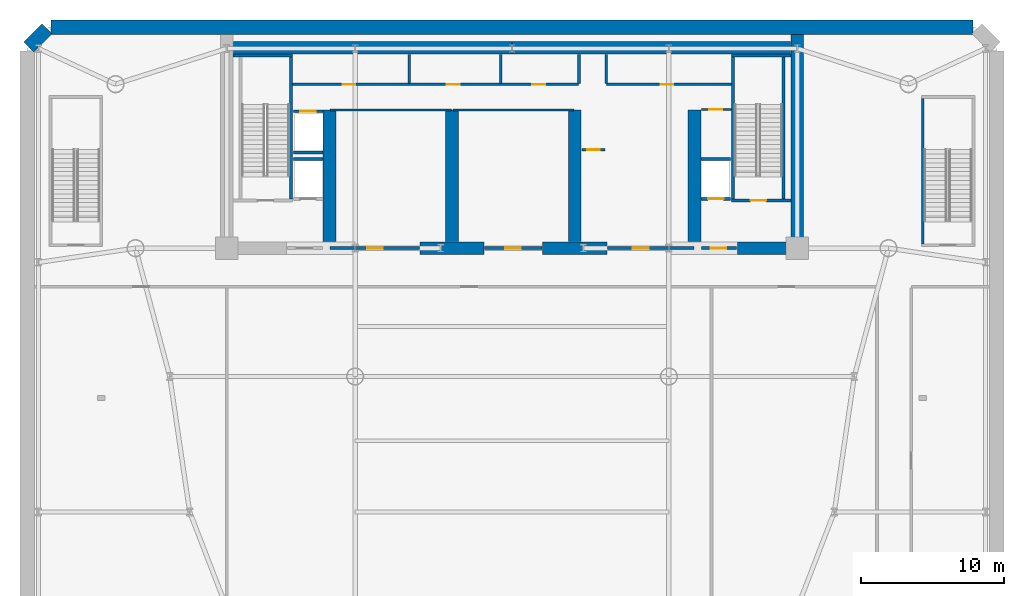
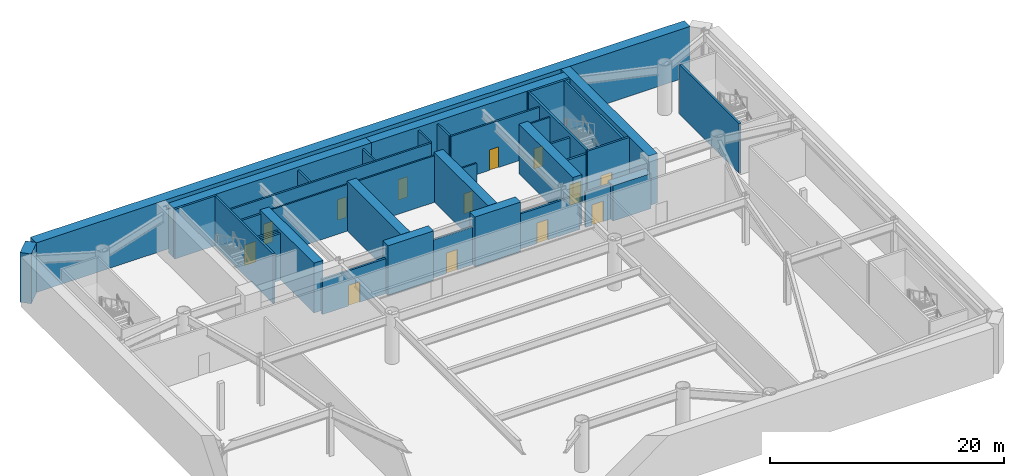
# One storey, part 3 of 9: 38 walls, 13 doors, 13 openings.
"""IFC4 building model written with IfcOpenShell, lengths in metres."""

from ifc_helpers import new_model, si_unit, direction, frame, frame_2d, origin, place, context, subcontext, project, spatial, rectangle, extrude, source, transform, mapped, material, layer, layer_set, type_object, element, fill, save


model = new_model("IFC4")

# Units and contexts
model_context = context("Model", 3, precision=1e-05, world=origin(), true_north=direction((0.0, 1.0)))
body_context = subcontext(model_context, "Body", "Model", "MODEL_VIEW")
ifc_project = project(units=[si_unit("LENGTHUNIT", "METRE"), si_unit("AREAUNIT", "SQUARE_METRE"), si_unit("VOLUMEUNIT", "CUBIC_METRE"), si_unit("PLANEANGLEUNIT", "RADIAN"), si_unit("MASSUNIT", "GRAM", prefix="KILO")], contexts=[model_context])

# Site, building, storey
site_placement = place(None, origin())
site = spatial("IfcSite", under=ifc_project, at=site_placement, CompositionType="ELEMENT")
building_placement = place(site_placement, origin())
building = spatial("IfcBuilding", under=site, at=building_placement, Name="Vaeldorn Concourse Tower", CompositionType="ELEMENT")
storey_placement = place(building_placement, frame((0.0, 0.0, -10.39990234375)))
storey = spatial("IfcBuildingStorey", under=building, at=storey_placement, Name="B02", CompositionType="ELEMENT", Elevation=-10.39990234375)

# Walls
ifc_material_1 = material(Name="Concrete C60/75", Category="concrete")
ifc_layer_1 = layer(ifc_material_1, 0.89990234375)
ifc_layer_set_1 = layer_set([ifc_layer_1], Name="Concrete C60/75")
wall_type_1 = type_object("IfcWallType", Name="WL-CORE-900", PredefinedType="SHEAR", material=ifc_layer_set_1)
for number, where, z_axis, x_axis, name in (
    (1, (14.4541015625, 50.550048828125, 0.0), (0.0, 0.0, 1.0), (1.0, 0.0, 0.0), "Rear Core Shear Wall B02 N1"),
    (2, (34.001953125, 50.550048828125, 0.0), (0.0, 0.0, 1.0), (1.0, 0.0, 0.0), "Rear Core Shear Wall B02 N2"),
):
    element("IfcWall", number, at=place(storey_placement, frame(where, z_axis=z_axis, x_axis=x_axis)), inside=storey, type_object=wall_type_1, Name=name, PredefinedType="SHEAR", context=body_context, shape_type="SweptSolid", body=[
        extrude(rectangle(XDim=19.5439453125, YDim=0.89990234375, at=frame_2d((9.77197265625, 0.0))), origin(), (0.0, 0.0, 1.0), 5.199951171875),
    ])
wall_1_placement = place(storey_placement, frame((54.0, 36.5, 0.0), z_axis=(0.0, 0.0, 1.0), x_axis=(0.0, 1.0, 0.0)))
element("IfcWall", 3, at=wall_1_placement, inside=storey, type_object=wall_type_1, Name="Rear Core Shear Wall B02 E1", PredefinedType="SHEAR", context=body_context, shape_type="SweptSolid", body=[
    extrude(rectangle(XDim=15.0, YDim=0.89990234375, at=frame_2d((7.5, 0.0))), origin(), (0.0, 0.0, 1.0), 5.199951171875),
])
for number, where, z_axis, x_axis, name in (
    (4, (27.550048828125, 36.5, 0.0), (0.0, 0.0, 1.0), (1.0, 0.0, 0.0), "Rear Core Shear Wall B02 S2"),
    (5, (36.14990234375, 36.5, 0.0), (0.0, 0.0, 1.0), (1.0, 0.0, 0.0), "Rear Core Shear Wall B02 S3"),
):
    element("IfcWall", number, at=place(storey_placement, frame(where, z_axis=z_axis, x_axis=x_axis)), inside=storey, type_object=wall_type_1, Name=name, PredefinedType="SHEAR", context=body_context, shape_type="SweptSolid", body=[
        extrude(rectangle(XDim=4.5, YDim=0.89990234375, at=frame_2d((2.25, 0.0))), origin(), (0.0, 0.0, 1.0), 5.199951171875),
    ])
wall_2_placement = place(storey_placement, frame((49.800048828125, 36.5, 0.0), z_axis=(0.0, 0.0, 1.0), x_axis=(1.0, 0.0, 0.0)))
element("IfcWall", 6, at=wall_2_placement, inside=storey, type_object=wall_type_1, Name="Rear Core Shear Wall B02 S4", PredefinedType="SHEAR", context=body_context, shape_type="SweptSolid", body=[
    extrude(rectangle(XDim=3.72998046875, YDim=0.89990234375, at=frame_2d((1.864990234375, 0.0))), origin(), (0.0, 0.0, 1.0), 3.679931640625),
])
for number, where, z_axis, x_axis, name in (
    (7, (21.199951171875, 36.969970703125, 0.0), (0.0, 0.0, 1.0), (0.0, 1.0, 0.0), "Rear Core Shear Wall B02 M1"),
    (8, (29.800048828125, 36.969970703125, 0.0), (0.0, 0.0, 1.0), (0.0, 1.0, 0.0), "Rear Core Shear Wall B02 M2"),
    (9, (38.39990234375, 36.969970703125, 0.0), (0.0, 0.0, 1.0), (0.0, 1.0, 0.0), "Rear Core Shear Wall B02 M3"),
    (10, (46.800048828125, 36.969970703125, 0.0), (0.0, 0.0, 1.0), (0.0, 1.0, 0.0), "Rear Core Shear Wall B02 M4"),
):
    element("IfcWall", number, at=place(storey_placement, frame(where, z_axis=z_axis, x_axis=x_axis)), inside=storey, type_object=wall_type_1, Name=name, PredefinedType="SHEAR", context=body_context, shape_type="SweptSolid", body=[
        extrude(rectangle(XDim=9.22998046875, YDim=0.89990234375, at=frame_2d((4.614990234375, 0.0))), origin(), (0.0, 0.0, 1.0), 5.199951171875),
    ])
ifc_material_2 = material(Name="Concrete C50/60", Category="concrete")
ifc_layer_2 = layer(ifc_material_2, 1.0)
ifc_layer_set_2 = layer_set([ifc_layer_2], Name="Concrete C50/60")
wall_type_2 = type_object("IfcWallType", Name="WL-DIAPH-1000", PredefinedType="STANDARD", material=ifc_layer_set_2)
wall_3_placement = place(storey_placement, frame((66.340087890625, 52.0, 0.0), z_axis=(0.0, 0.0, 1.0), x_axis=(-1.0, 0.0, 0.0)))
element("IfcWall", 11, at=wall_3_placement, inside=storey, type_object=wall_type_2, Name="Substructure Diaphragm Wall B02-05", PredefinedType="STANDARD", context=body_context, shape_type="SweptSolid", body=[
    extrude(rectangle(XDim=64.68017578125, YDim=1.0, at=frame_2d((32.340087890625, 0.0))), origin(), (0.0, 0.0, 1.0), 5.199951171875),
])
wall_4_placement = place(storey_placement, frame((1.386962890625, 51.886962890625, 0.0), z_axis=(0.0, 0.0, 1.0), x_axis=(-0.707106781187, -0.707106781187, 0.0)))
element("IfcWall", 12, at=wall_4_placement, inside=storey, type_object=wall_type_2, Name="Substructure Diaphragm Wall B02-06", PredefinedType="STANDARD", context=body_context, shape_type="SweptSolid", body=[
    extrude(rectangle(XDim=1.801513671875, YDim=1.0, at=frame_2d((0.90087890625, 0.0))), origin(), (0.0, 0.0, 1.0), 5.199951171875),
])
ifc_material_3 = material(Name="Gypsum Board Partition", Category="gypsum")
ifc_layer_3 = layer(ifc_material_3, 0.14990234375)
ifc_layer_set_3 = layer_set([ifc_layer_3], Name="Gypsum Board Partition")
wall_type_3 = type_object("IfcWallType", Name="WL-PART-150", PredefinedType="PARTITIONING", material=ifc_layer_set_3)
for number, where, z_axis, x_axis, name in (
    (13, (21.25, 46.199951171875, 0.0), (0.0, 0.0, 1.0), (1.0, 0.0, 0.0), "Interior Wall CW-B02-B1N"),
    (14, (29.85009765625, 46.199951171875, 0.0), (0.0, 0.0, 1.0), (1.0, 0.0, 0.0), "Interior Wall CW-B02-B2N"),
):
    element("IfcWall", number, at=place(storey_placement, frame(where, z_axis=z_axis, x_axis=x_axis)), inside=storey, type_object=wall_type_3, Name=name, PredefinedType="PARTITIONING", context=body_context, shape_type="SweptSolid", body=[
        extrude(rectangle(XDim=8.5, YDim=0.14990234375, at=frame_2d((4.25, 0.0))), origin(), (0.0, 0.0, 1.0), 4.8798828125),
    ])

# Wall, opening, door
wall_5_placement = place(storey_placement, frame((47.280029296875, 46.219970703125, 0.0), z_axis=(0.0, 0.0, 1.0), x_axis=(1.0, 0.0, 0.0)))
wall_5 = element("IfcWall", 15, at=wall_5_placement, inside=storey, type_object=wall_type_3, Name="Interior Wall CW-B02-CRSE-N", PredefinedType="PARTITIONING", context=body_context, shape_type="SweptSolid", body=[
    extrude(rectangle(XDim=2.099853515625, YDim=0.14990234375, at=frame_2d((1.0498046875, 0.0))), origin(), (0.0, 0.0, 1.0), 4.8798828125),
])
opening_1_placement = place(wall_5_placement, frame((0.550048828125, 0.0, 0.0)))
opening_1 = element("IfcOpeningElement", 16, at=opening_1_placement, cuts=wall_5, Name="Opening D-02", PredefinedType="OPENING", context=body_context, shape_type="SweptSolid", body=[
    extrude(rectangle(XDim=0.89990234375, YDim=2.10009765625, at=frame_2d((0.449951171875, 1.050048828125))), frame((0.0, 0.0849609375, 0.0), z_axis=(0.0, -1.0, 0.0), x_axis=(1.0, 0.0, 0.0)), (0.0, 0.0, 1.0), 0.169921875),
])
ifc_material_4 = material(Name="Fire-Rated Timber Leaf", Category="wood")
door_type_1 = type_object("IfcDoorType", Name="DR-FD30-900", OperationType="NOTDEFINED", PredefinedType="DOOR", material=ifc_material_4)
shared_shape_1 = source(origin(), body_context, "Body", "SweptSolid", [
    extrude(rectangle(XDim=0.89990234375, YDim=2.10009765625, at=frame_2d((0.449951171875, 1.050048828125))), frame((0.0, 0.02490234375, 0.0), z_axis=(0.0, -1.0, 0.0), x_axis=(1.0, 0.0, 0.0)), (0.0, 0.0, 1.0), 0.050048828125),
])
door_1_placement = place(opening_1_placement, origin())
door_1 = element("IfcDoor", 17, at=door_1_placement, inside=storey, type_object=door_type_1, Name="Interior Door DR-B02-CRSE", OperationType="SINGLE_SWING_RIGHT", OverallHeight=2.10009765625, OverallWidth=0.89990234375, PredefinedType="DOOR", context=body_context, shape_type="MappedRepresentation", body=[
    mapped(shared_shape_1, transform((0.0, 0.0, 0.0), scale=1.0)),
])
fill(opening_1, door_1)

wall_6_placement = place(storey_placement, frame((38.919921875, 43.39990234375, 0.0), z_axis=(0.0, 0.0, 1.0), x_axis=(1.0, 0.0, 0.0)))
wall_6 = element("IfcWall", 18, at=wall_6_placement, inside=storey, type_object=wall_type_3, Name="Interior Wall CW-B02-CCLINK", PredefinedType="PARTITIONING", context=body_context, shape_type="SweptSolid", body=[
    extrude(rectangle(XDim=1.60009765625, YDim=0.14990234375, at=frame_2d((0.800048828125, 0.0))), origin(), (0.0, 0.0, 1.0), 4.8798828125),
])
opening_2_placement = place(wall_6_placement, frame((0.35009765625, 0.0, 0.0)))
opening_2 = element("IfcOpeningElement", 19, at=opening_2_placement, cuts=wall_6, Name="Opening D-02", PredefinedType="OPENING", context=body_context, shape_type="SweptSolid", body=[
    extrude(rectangle(XDim=0.89990234375, YDim=2.10009765625, at=frame_2d((0.449951171875, 1.050048828125))), frame((0.0, 0.0849609375, 0.0), z_axis=(0.0, -1.0, 0.0), x_axis=(1.0, 0.0, 0.0)), (0.0, 0.0, 1.0), 0.169921875),
])
door_2_placement = place(opening_2_placement, origin())
door_2 = element("IfcDoor", 20, at=door_2_placement, inside=storey, type_object=door_type_1, Name="Interior Door DR-B02-CCLINK", OperationType="SINGLE_SWING_LEFT", OverallHeight=2.10009765625, OverallWidth=0.89990234375, PredefinedType="DOOR", context=body_context, shape_type="MappedRepresentation", body=[
    mapped(shared_shape_1, transform((0.0, 0.0, 0.0), scale=1.0)),
])
fill(opening_2, door_2)

# Wall, openings, doors
ifc_layer_4 = layer(ifc_material_3, 0.179931640625)
ifc_layer_set_4 = layer_set([ifc_layer_4], Name="Gypsum Board Partition")
wall_type_4 = type_object("IfcWallType", Name="WL-PLUMB-180", PredefinedType="PLUMBINGWALL", material=ifc_layer_set_4)
wall_7_placement = place(storey_placement, frame((18.6201171875, 47.97998046875, 0.0), z_axis=(0.0, 0.0, 1.0), x_axis=(1.0, 0.0, 0.0)))
wall_7 = element("IfcWall", 21, at=wall_7_placement, inside=storey, type_object=wall_type_4, Name="Interior Wall CW-B02-NS1W", PredefinedType="PLUMBINGWALL", context=body_context, shape_type="SweptSolid", body=[
    extrude(rectangle(XDim=20.059814453125, YDim=0.179931640625, at=frame_2d((10.02978515625, 0.0))), origin(), (0.0, 0.0, 1.0), 4.8798828125),
])
opening_3_placement = place(wall_7_placement, frame((3.5, 0.0, 0.0)))
opening_3 = element("IfcOpeningElement", 22, at=opening_3_placement, cuts=wall_7, Name="Opening D-03", PredefinedType="OPENING", context=body_context, shape_type="SweptSolid", body=[
    extrude(rectangle(XDim=0.89990234375, YDim=2.14990234375, at=frame_2d((0.449951171875, 1.074951171875))), frame((0.0, 0.10009765625, 0.0), z_axis=(0.0, -1.0, 0.0), x_axis=(1.0, 0.0, 0.0)), (0.0, 0.0, 1.0), 0.199951171875),
])
opening_4_placement = place(wall_7_placement, frame((10.800048828125, 0.0, 0.0)))
opening_4 = element("IfcOpeningElement", 23, at=opening_4_placement, cuts=wall_7, Name="Opening D-03", PredefinedType="OPENING", context=body_context, shape_type="SweptSolid", body=[
    extrude(rectangle(XDim=0.89990234375, YDim=2.14990234375, at=frame_2d((0.449951171875, 1.074951171875))), frame((0.0, 0.10009765625, 0.0), z_axis=(0.0, -1.0, 0.0), x_axis=(1.0, 0.0, 0.0)), (0.0, 0.0, 1.0), 0.199951171875),
])
opening_5_placement = place(wall_7_placement, frame((16.800048828125, 0.0, 0.0)))
opening_5 = element("IfcOpeningElement", 24, at=opening_5_placement, cuts=wall_7, Name="Opening D-03", PredefinedType="OPENING", context=body_context, shape_type="SweptSolid", body=[
    extrude(rectangle(XDim=0.89990234375, YDim=2.14990234375, at=frame_2d((0.449951171875, 1.074951171875))), frame((0.0, 0.10009765625, 0.0), z_axis=(0.0, -1.0, 0.0), x_axis=(1.0, 0.0, 0.0)), (0.0, 0.0, 1.0), 0.199951171875),
])
ifc_material_5 = material(Name="Acoustic Bronze-Framed Glass Door", Category="glass")
door_type_2 = type_object("IfcDoorType", Name="DR-INT-900", OperationType="NOTDEFINED", PredefinedType="DOOR", material=ifc_material_5)
shared_shape_2 = source(origin(), body_context, "Body", "SweptSolid", [
    extrude(rectangle(XDim=0.89990234375, YDim=2.14990234375, at=frame_2d((0.449951171875, 1.074951171875))), frame((0.0, 0.02490234375, 0.0), z_axis=(0.0, -1.0, 0.0), x_axis=(1.0, 0.0, 0.0)), (0.0, 0.0, 1.0), 0.050048828125),
])
door_3_placement = place(opening_3_placement, origin())
door_3 = element("IfcDoor", 25, at=door_3_placement, inside=storey, type_object=door_type_2, Name="Interior Door DR-B02-CS1", OperationType="SINGLE_SWING_LEFT", OverallHeight=2.14990234375, OverallWidth=0.89990234375, PredefinedType="DOOR", context=body_context, shape_type="MappedRepresentation", body=[
    mapped(shared_shape_2, transform((0.0, 0.0, 0.0), scale=1.0)),
])
fill(opening_3, door_3)
door_4_placement = place(opening_4_placement, origin())
door_4 = element("IfcDoor", 26, at=door_4_placement, inside=storey, type_object=door_type_2, Name="Interior Door DR-B02-CS2", OperationType="SINGLE_SWING_RIGHT", OverallHeight=2.14990234375, OverallWidth=0.89990234375, PredefinedType="DOOR", context=body_context, shape_type="MappedRepresentation", body=[
    mapped(shared_shape_2, transform((0.0, 0.0, 0.0), scale=1.0)),
])
fill(opening_4, door_4)
door_5_placement = place(opening_5_placement, origin())
door_5 = element("IfcDoor", 27, at=door_5_placement, inside=storey, type_object=door_type_2, Name="Interior Door DR-B02-CS3", OperationType="SINGLE_SWING_LEFT", OverallHeight=2.14990234375, OverallWidth=0.89990234375, PredefinedType="DOOR", context=body_context, shape_type="MappedRepresentation", body=[
    mapped(shared_shape_2, transform((0.0, 0.0, 0.0), scale=1.0)),
])
fill(opening_5, door_5)

# Wall, opening, door
wall_8_placement = place(storey_placement, frame((40.6201171875, 47.97998046875, 0.0), z_axis=(0.0, 0.0, 1.0), x_axis=(1.0, 0.0, 0.0)))
wall_8 = element("IfcWall", 28, at=wall_8_placement, inside=storey, type_object=wall_type_4, Name="Interior Wall CW-B02-NS1E", PredefinedType="PLUMBINGWALL", context=body_context, shape_type="SweptSolid", body=[
    extrude(rectangle(XDim=8.759765625, YDim=0.179931640625, at=frame_2d((4.3798828125, 0.0))), origin(), (0.0, 0.0, 1.0), 4.8798828125),
])
opening_6_placement = place(wall_8_placement, frame((3.800048828125, 0.0, 0.0)))
opening_6 = element("IfcOpeningElement", 29, at=opening_6_placement, cuts=wall_8, Name="Opening D-03", PredefinedType="OPENING", context=body_context, shape_type="SweptSolid", body=[
    extrude(rectangle(XDim=0.89990234375, YDim=2.14990234375, at=frame_2d((0.449951171875, 1.074951171875))), frame((0.0, 0.10009765625, 0.0), z_axis=(0.0, -1.0, 0.0), x_axis=(1.0, 0.0, 0.0)), (0.0, 0.0, 1.0), 0.199951171875),
])
door_6_placement = place(opening_6_placement, origin())
door_6 = element("IfcDoor", 30, at=door_6_placement, inside=storey, type_object=door_type_2, Name="Interior Door DR-B02-CS4", OperationType="SINGLE_SWING_RIGHT", OverallHeight=2.14990234375, OverallWidth=0.89990234375, PredefinedType="DOOR", context=body_context, shape_type="MappedRepresentation", body=[
    mapped(shared_shape_2, transform((0.0, 0.0, 0.0), scale=1.0)),
])
fill(opening_6, door_6)

# Walls
for number, where, z_axis, x_axis, name in (
    (31, (26.800048828125, 48.06005859375, 0.0), (0.0, 0.0, 1.0), (0.0, 1.0, 0.0), "Interior Wall CW-B02-NDIV1"),
    (32, (33.199951171875, 48.06005859375, 0.0), (0.0, 0.0, 1.0), (0.0, 1.0, 0.0), "Interior Wall CW-B02-NDIV2"),
    (33, (38.699951171875, 48.06005859375, 0.0), (0.0, 0.0, 1.0), (0.0, 1.0, 0.0), "Interior Wall CW-B02-NDIV3"),
    (34, (40.60009765625, 48.06005859375, 0.0), (0.0, 0.0, 1.0), (0.0, 1.0, 0.0), "Interior Wall CW-B02-NDIV4"),
):
    element("IfcWall", number, at=place(storey_placement, frame(where, z_axis=z_axis, x_axis=x_axis)), inside=storey, type_object=wall_type_4, Name=name, PredefinedType="PLUMBINGWALL", context=body_context, shape_type="SweptSolid", body=[
        extrude(rectangle(XDim=2.02001953125, YDim=0.179931640625, at=frame_2d((1.010009765625, 0.0))), origin(), (0.0, 0.0, 1.0), 4.8798828125),
    ])
ifc_layer_5 = layer(ifc_material_2, 0.199951171875)
ifc_layer_set_5 = layer_set([ifc_layer_5], Name="Concrete C50/60")
wall_type_5 = type_object("IfcWallType", Name="WL-SHAFT-200", PredefinedType="SOLIDWALL", material=ifc_layer_set_5)
wall_9_placement = place(storey_placement, frame((14.449951171875, 50.0, 0.0), z_axis=(0.0, 0.0, 1.0), x_axis=(1.0, 0.0, 0.0)))
element("IfcWall", 35, at=wall_9_placement, inside=storey, type_object=wall_type_5, Name="Stair Shaft Wall CW-B02-ST-1-N", PredefinedType="SOLIDWALL", context=body_context, shape_type="SweptSolid", body=[
    extrude(rectangle(XDim=4.150146484375, YDim=0.199951171875, at=frame_2d((2.0751953125, 0.0))), origin(), (0.0, 0.0, 1.0), 5.199951171875),
])
wall_10_placement = place(storey_placement, frame((18.5, 39.9599609375, 0.0), z_axis=(0.0, 0.0, 1.0), x_axis=(0.0, 1.0, 0.0)))
element("IfcWall", 36, at=wall_10_placement, inside=storey, type_object=wall_type_5, Name="Stair Shaft Wall CW-B02-ST-1-E", PredefinedType="SOLIDWALL", context=body_context, shape_type="SweptSolid", body=[
    extrude(rectangle(XDim=9.929931640625, YDim=0.199951171875, at=frame_2d((4.96484375, 0.0))), origin(), (0.0, 0.0, 1.0), 5.199951171875),
])

# Wall, opening, door
wall_11_placement = place(storey_placement, frame((49.39990234375, 39.85009765625, 0.0), z_axis=(0.0, 0.0, 1.0), x_axis=(1.0, 0.0, 0.0)))
wall_11 = element("IfcWall", 37, at=wall_11_placement, inside=storey, type_object=wall_type_5, Name="Stair Shaft Wall CW-B02-ST-2-S", PredefinedType="SOLIDWALL", context=body_context, shape_type="SweptSolid", body=[
    extrude(rectangle(XDim=4.150146484375, YDim=0.199951171875, at=frame_2d((2.0751953125, 0.0))), origin(), (0.0, 0.0, 1.0), 5.199951171875),
])
opening_7_placement = place(wall_11_placement, frame((1.324951171875, 0.0, 0.0)))
opening_7 = element("IfcOpeningElement", 38, at=opening_7_placement, cuts=wall_11, Name="Opening D-01", PredefinedType="OPENING", context=body_context, shape_type="SweptSolid", body=[
    extrude(rectangle(XDim=1.10009765625, YDim=2.14990234375, at=frame_2d((0.550048828125, 1.074951171875))), frame((0.0, 0.10986328125, 0.0), z_axis=(0.0, -1.0, 0.0), x_axis=(1.0, 0.0, 0.0)), (0.0, 0.0, 1.0), 0.219970703125),
])
ifc_material_6 = material(Name="Fire-Rated Timber and Steel Leaf", Category="steel")
door_type_3 = type_object("IfcDoorType", Name="DR-FD60-1100", OperationType="NOTDEFINED", PredefinedType="DOOR", material=ifc_material_6)
shared_shape_3 = source(origin(), body_context, "Body", "SweptSolid", [
    extrude(rectangle(XDim=1.10009765625, YDim=2.14990234375, at=frame_2d((0.550048828125, 1.074951171875))), frame((0.0, 0.02490234375, 0.0), z_axis=(0.0, -1.0, 0.0), x_axis=(1.0, 0.0, 0.0)), (0.0, 0.0, 1.0), 0.050048828125),
])
door_7_placement = place(opening_7_placement, origin())
door_7 = element("IfcDoor", 39, at=door_7_placement, inside=storey, type_object=door_type_3, Name="Interior Door DR-B02-ST-2", OperationType="SINGLE_SWING_RIGHT", OverallHeight=2.14990234375, OverallWidth=1.10009765625, PredefinedType="DOOR", context=body_context, shape_type="MappedRepresentation", body=[
    mapped(shared_shape_3, transform((0.0, 0.0, 0.0), scale=1.0)),
])
fill(opening_7, door_7)

# Walls
wall_12_placement = place(storey_placement, frame((49.39990234375, 50.0, 0.0), z_axis=(0.0, 0.0, 1.0), x_axis=(1.0, 0.0, 0.0)))
element("IfcWall", 40, at=wall_12_placement, inside=storey, type_object=wall_type_5, Name="Stair Shaft Wall CW-B02-ST-2-N", PredefinedType="SOLIDWALL", context=body_context, shape_type="SweptSolid", body=[
    extrude(rectangle(XDim=4.150146484375, YDim=0.199951171875, at=frame_2d((2.0751953125, 0.0))), origin(), (0.0, 0.0, 1.0), 5.199951171875),
])
for number, where, z_axis, x_axis, name in (
    (41, (49.5, 39.9599609375, 0.0), (0.0, 0.0, 1.0), (0.0, 1.0, 0.0), "Stair Shaft Wall CW-B02-ST-2-W"),
    (42, (53.050048828125, 39.9599609375, 0.0), (0.0, 0.0, 1.0), (0.0, 1.0, 0.0), "Stair Shaft Wall CW-B02-ST-2-E"),
):
    element("IfcWall", number, at=place(storey_placement, frame(where, z_axis=z_axis, x_axis=x_axis)), inside=storey, type_object=wall_type_5, Name=name, PredefinedType="SOLIDWALL", context=body_context, shape_type="SweptSolid", body=[
        extrude(rectangle(XDim=9.929931640625, YDim=0.199951171875, at=frame_2d((4.96484375, 0.0))), origin(), (0.0, 0.0, 1.0), 5.199951171875),
    ])

# Wall, opening, door
wall_13_placement = place(storey_placement, frame((47.280029296875, 36.5, 0.0), z_axis=(0.0, 0.0, 1.0), x_axis=(1.0, 0.0, 0.0)))
wall_13 = element("IfcWall", 43, at=wall_13_placement, inside=storey, type_object=wall_type_5, Name="Interior Wall CW-B02-FF2S", PredefinedType="SOLIDWALL", context=body_context, shape_type="SweptSolid", body=[
    extrude(rectangle(XDim=2.469970703125, YDim=0.199951171875, at=frame_2d((1.23486328125, 0.0))), origin(), (0.0, 0.0, 1.0), 3.669921875),
])
opening_8_placement = place(wall_13_placement, frame((0.64990234375, 0.0, 0.0)))
opening_8 = element("IfcOpeningElement", 44, at=opening_8_placement, cuts=wall_13, Name="Opening D-01", PredefinedType="OPENING", context=body_context, shape_type="SweptSolid", body=[
    extrude(rectangle(XDim=1.10009765625, YDim=2.14990234375, at=frame_2d((0.550048828125, 1.074951171875))), frame((0.0, 0.10986328125, 0.0), z_axis=(0.0, -1.0, 0.0), x_axis=(1.0, 0.0, 0.0)), (0.0, 0.0, 1.0), 0.219970703125),
])
door_8_placement = place(opening_8_placement, origin())
door_8 = element("IfcDoor", 45, at=door_8_placement, inside=storey, type_object=door_type_3, Name="Interior Door DR-B02-FF2W", OperationType="SINGLE_SWING_LEFT", OverallHeight=2.14990234375, OverallWidth=1.10009765625, PredefinedType="DOOR", context=body_context, shape_type="MappedRepresentation", body=[
    mapped(shared_shape_3, transform((0.0, 0.0, 0.0), scale=1.0)),
])
fill(opening_8, door_8)

wall_14_placement = place(storey_placement, frame((18.669921875, 46.10009765625, 0.0), z_axis=(0.0, 0.0, 1.0), x_axis=(1.0, 0.0, 0.0)))
wall_14 = element("IfcWall", 46, at=wall_14_placement, inside=storey, type_object=wall_type_5, Name="Interior Wall CW-B02-LF-LF-SV1", PredefinedType="SOLIDWALL", context=body_context, shape_type="SweptSolid", body=[
    extrude(rectangle(XDim=2.070068359375, YDim=0.199951171875, at=frame_2d((1.03515625, 0.0))), origin(), (0.0, 0.0, 1.0), 4.8798828125),
])
opening_9_placement = place(wall_14_placement, frame((0.485107421875, 0.0, 0.0)))
opening_9 = element("IfcOpeningElement", 47, at=opening_9_placement, cuts=wall_14, Name="Opening LD-1", PredefinedType="OPENING", context=body_context, shape_type="SweptSolid", body=[
    extrude(rectangle(XDim=1.10009765625, YDim=2.14990234375, at=frame_2d((0.550048828125, 1.074951171875))), frame((0.0, 0.10986328125, 0.0), z_axis=(0.0, -1.0, 0.0), x_axis=(1.0, 0.0, 0.0)), (0.0, 0.0, 1.0), 0.219970703125),
])
ifc_material_7 = material(Name="Anodised Bronze Aluminium", Category="aluminium")
door_type_4 = type_object("IfcDoorType", Name="DR-LIFT-SLIDE-1100", OperationType="DOUBLE_DOOR_SLIDING", PredefinedType="DOOR", material=ifc_material_7)
door_9_placement = place(opening_9_placement, origin())
door_9 = element("IfcDoor", 48, at=door_9_placement, inside=storey, type_object=door_type_4, Name="Lift Landing Door LD-B02-LF-SV1", OperationType="DOUBLE_DOOR_SLIDING", OverallHeight=2.14990234375, OverallWidth=1.10009765625, PredefinedType="DOOR", context=body_context, shape_type="MappedRepresentation", body=[
    mapped(shared_shape_3, transform((0.0, 0.0, 0.0), scale=1.0)),
])
fill(opening_9, door_9)

# Walls
for number, where, z_axis, x_axis, name in (
    (49, (18.669921875, 43.199951171875, 0.0), (0.0, 0.0, 1.0), (1.0, 0.0, 0.0), "Interior Wall CW-B02-LFB-LF-SV1"),
    (50, (18.669921875, 42.75, 0.0), (0.0, 0.0, 1.0), (1.0, 0.0, 0.0), "Interior Wall CW-B02-LFB-LF-FF1"),
):
    element("IfcWall", number, at=place(storey_placement, frame(where, z_axis=z_axis, x_axis=x_axis)), inside=storey, type_object=wall_type_5, Name=name, PredefinedType="SOLIDWALL", context=body_context, shape_type="SweptSolid", body=[
        extrude(rectangle(XDim=2.070068359375, YDim=0.199951171875, at=frame_2d((1.03515625, 0.0))), origin(), (0.0, 0.0, 1.0), 4.8798828125),
    ])

# Wall, opening, door
wall_15_placement = place(storey_placement, frame((47.260009765625, 39.949951171875, 0.0), z_axis=(0.0, 0.0, 1.0), x_axis=(1.0, 0.0, 0.0)))
wall_15 = element("IfcWall", 51, at=wall_15_placement, inside=storey, type_object=wall_type_5, Name="Interior Wall CW-B02-LF-LF-FF2", PredefinedType="SOLIDWALL", context=body_context, shape_type="SweptSolid", body=[
    extrude(rectangle(XDim=2.070068359375, YDim=0.199951171875, at=frame_2d((1.03515625, 0.0))), origin(), (0.0, 0.0, 1.0), 4.8798828125),
])
opening_10_placement = place(wall_15_placement, frame((0.485107421875, 0.0, 0.0)))
opening_10 = element("IfcOpeningElement", 52, at=opening_10_placement, cuts=wall_15, Name="Opening LD-1", PredefinedType="OPENING", context=body_context, shape_type="SweptSolid", body=[
    extrude(rectangle(XDim=1.10009765625, YDim=2.14990234375, at=frame_2d((0.550048828125, 1.074951171875))), frame((0.0, 0.10986328125, 0.0), z_axis=(0.0, -1.0, 0.0), x_axis=(1.0, 0.0, 0.0)), (0.0, 0.0, 1.0), 0.219970703125),
])
door_10_placement = place(opening_10_placement, origin())
door_10 = element("IfcDoor", 53, at=door_10_placement, inside=storey, type_object=door_type_4, Name="Lift Landing Door LD-B02-LF-FF2", OperationType="DOUBLE_DOOR_SLIDING", OverallHeight=2.14990234375, OverallWidth=1.10009765625, PredefinedType="DOOR", context=body_context, shape_type="MappedRepresentation", body=[
    mapped(shared_shape_3, transform((0.0, 0.0, 0.0), scale=1.0)),
])
fill(opening_10, door_10)

# Wall
wall_16_placement = place(storey_placement, frame((47.260009765625, 42.75, 0.0), z_axis=(0.0, 0.0, 1.0), x_axis=(1.0, 0.0, 0.0)))
element("IfcWall", 54, at=wall_16_placement, inside=storey, type_object=wall_type_5, Name="Interior Wall CW-B02-LFB-LF-FF2", PredefinedType="SOLIDWALL", context=body_context, shape_type="SweptSolid", body=[
    extrude(rectangle(XDim=2.070068359375, YDim=0.199951171875, at=frame_2d((1.03515625, 0.0))), origin(), (0.0, 0.0, 1.0), 4.8798828125),
])

# Wall, opening, door
wall_17_placement = place(storey_placement, frame((21.25, 36.5, 0.0), z_axis=(0.0, 0.0, 1.0), x_axis=(1.0, 0.0, 0.0)))
wall_17 = element("IfcWall", 55, at=wall_17_placement, inside=storey, type_object=wall_type_5, Name="Interior Wall CW-B02-B1CL", PredefinedType="SOLIDWALL", context=body_context, shape_type="SweptSolid", body=[
    extrude(rectangle(XDim=6.27001953125, YDim=0.199951171875, at=frame_2d((3.135009765625, 0.0))), origin(), (0.0, 0.0, 1.0), 3.669921875),
])
opening_11_placement = place(wall_17_placement, frame((2.60009765625, 0.0, 0.0)))
opening_11 = element("IfcOpeningElement", 56, at=opening_11_placement, cuts=wall_17, Name="Opening D-01", PredefinedType="OPENING", context=body_context, shape_type="SweptSolid", body=[
    extrude(rectangle(XDim=1.10009765625, YDim=2.14990234375, at=frame_2d((0.550048828125, 1.074951171875))), frame((0.0, 0.10986328125, 0.0), z_axis=(0.0, -1.0, 0.0), x_axis=(1.0, 0.0, 0.0)), (0.0, 0.0, 1.0), 0.219970703125),
])
door_11_placement = place(opening_11_placement, origin())
door_11 = element("IfcDoor", 57, at=door_11_placement, inside=storey, type_object=door_type_3, Name="Interior Door DR-B02-B1CL", OperationType="SINGLE_SWING_LEFT", OverallHeight=2.14990234375, OverallWidth=1.10009765625, PredefinedType="DOOR", context=body_context, shape_type="MappedRepresentation", body=[
    mapped(shared_shape_3, transform((0.0, 0.0, 0.0), scale=1.0)),
])
fill(opening_11, door_11)

wall_18_placement = place(storey_placement, frame((32.080078125, 36.5, 0.0), z_axis=(0.0, 0.0, 1.0), x_axis=(1.0, 0.0, 0.0)))
wall_18 = element("IfcWall", 58, at=wall_18_placement, inside=storey, type_object=wall_type_5, Name="Interior Wall CW-B02-B2CL", PredefinedType="SOLIDWALL", context=body_context, shape_type="SweptSolid", body=[
    extrude(rectangle(XDim=4.0400390625, YDim=0.199951171875, at=frame_2d((2.02001953125, 0.0))), origin(), (0.0, 0.0, 1.0), 3.9599609375),
])
opening_12_placement = place(wall_18_placement, frame((1.449951171875, 0.0, 0.0)))
opening_12 = element("IfcOpeningElement", 59, at=opening_12_placement, cuts=wall_18, Name="Opening D-01", PredefinedType="OPENING", context=body_context, shape_type="SweptSolid", body=[
    extrude(rectangle(XDim=1.10009765625, YDim=2.14990234375, at=frame_2d((0.550048828125, 1.074951171875))), frame((0.0, 0.10986328125, 0.0), z_axis=(0.0, -1.0, 0.0), x_axis=(1.0, 0.0, 0.0)), (0.0, 0.0, 1.0), 0.219970703125),
])
door_12_placement = place(opening_12_placement, origin())
door_12 = element("IfcDoor", 60, at=door_12_placement, inside=storey, type_object=door_type_3, Name="Interior Door DR-B02-B2CL", OperationType="SINGLE_SWING_RIGHT", OverallHeight=2.14990234375, OverallWidth=1.10009765625, PredefinedType="DOOR", context=body_context, shape_type="MappedRepresentation", body=[
    mapped(shared_shape_3, transform((0.0, 0.0, 0.0), scale=1.0)),
])
fill(opening_12, door_12)

wall_19_placement = place(storey_placement, frame((40.679931640625, 36.5, 0.0), z_axis=(0.0, 0.0, 1.0), x_axis=(1.0, 0.0, 0.0)))
wall_19 = element("IfcWall", 61, at=wall_19_placement, inside=storey, type_object=wall_type_5, Name="Interior Wall CW-B02-B3CL", PredefinedType="SOLIDWALL", context=body_context, shape_type="SweptSolid", body=[
    extrude(rectangle(XDim=6.070068359375, YDim=0.199951171875, at=frame_2d((3.03515625, 0.0))), origin(), (0.0, 0.0, 1.0), 3.669921875),
])
opening_13_placement = place(wall_19_placement, frame((1.800048828125, 0.0, 0.0)))
opening_13 = element("IfcOpeningElement", 62, at=opening_13_placement, cuts=wall_19, Name="Opening D-01", PredefinedType="OPENING", context=body_context, shape_type="SweptSolid", body=[
    extrude(rectangle(XDim=1.10009765625, YDim=2.14990234375, at=frame_2d((0.550048828125, 1.074951171875))), frame((0.0, 0.10986328125, 0.0), z_axis=(0.0, -1.0, 0.0), x_axis=(1.0, 0.0, 0.0)), (0.0, 0.0, 1.0), 0.219970703125),
])
door_13_placement = place(opening_13_placement, origin())
door_13 = element("IfcDoor", 63, at=door_13_placement, inside=storey, type_object=door_type_3, Name="Interior Door DR-B02-B3CL", OperationType="SINGLE_SWING_LEFT", OverallHeight=2.14990234375, OverallWidth=1.10009765625, PredefinedType="DOOR", context=body_context, shape_type="MappedRepresentation", body=[
    mapped(shared_shape_3, transform((0.0, 0.0, 0.0), scale=1.0)),
])
fill(opening_13, door_13)

# Wall
wall_20_placement = place(storey_placement, frame((62.800048828125, 36.81005859375, 0.0), z_axis=(0.0, 0.0, 1.0), x_axis=(0.0, 1.0, 0.0)))
element("IfcWall", 64, at=wall_20_placement, inside=storey, type_object=wall_type_5, Name="Stair Shaft Wall CW-B02-ST-4-W", PredefinedType="SOLIDWALL", context=body_context, shape_type="SweptSolid", body=[
    extrude(rectangle(XDim=10.179931640625, YDim=0.199951171875, at=frame_2d((5.08984375, 0.0))), origin(), (0.0, 0.0, 1.0), 5.199951171875),
])

save(model, "model.ifc")
